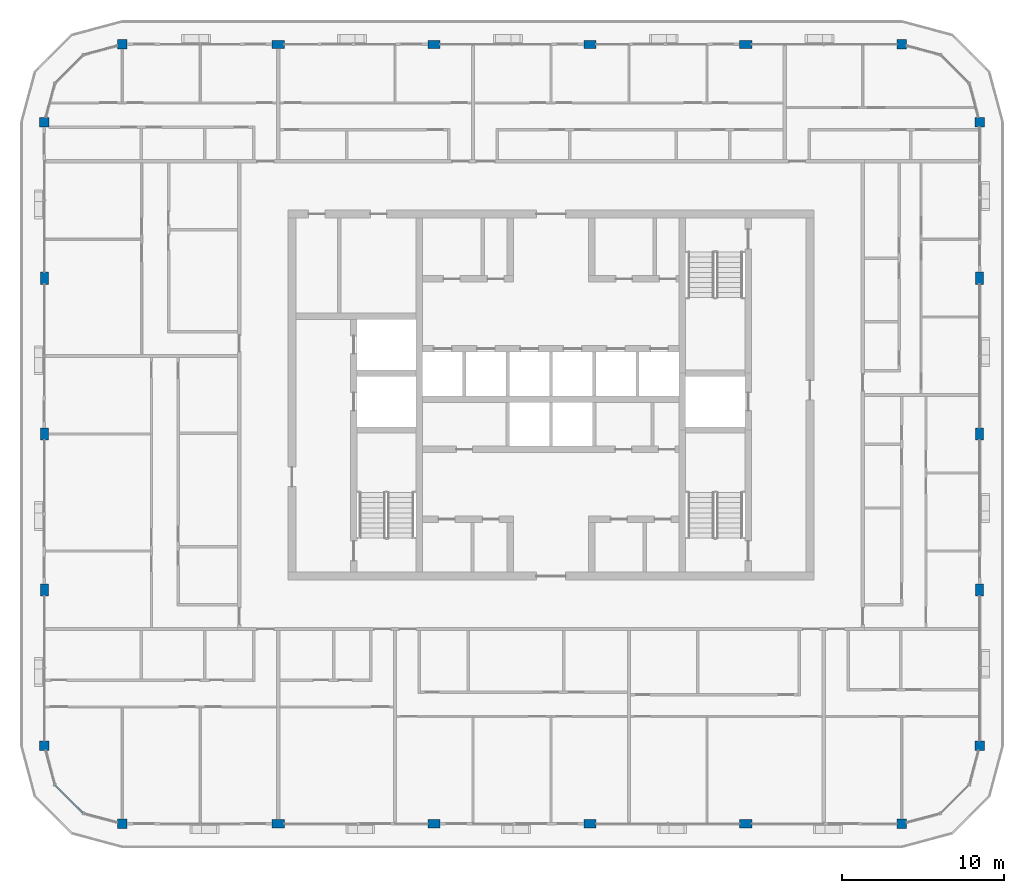
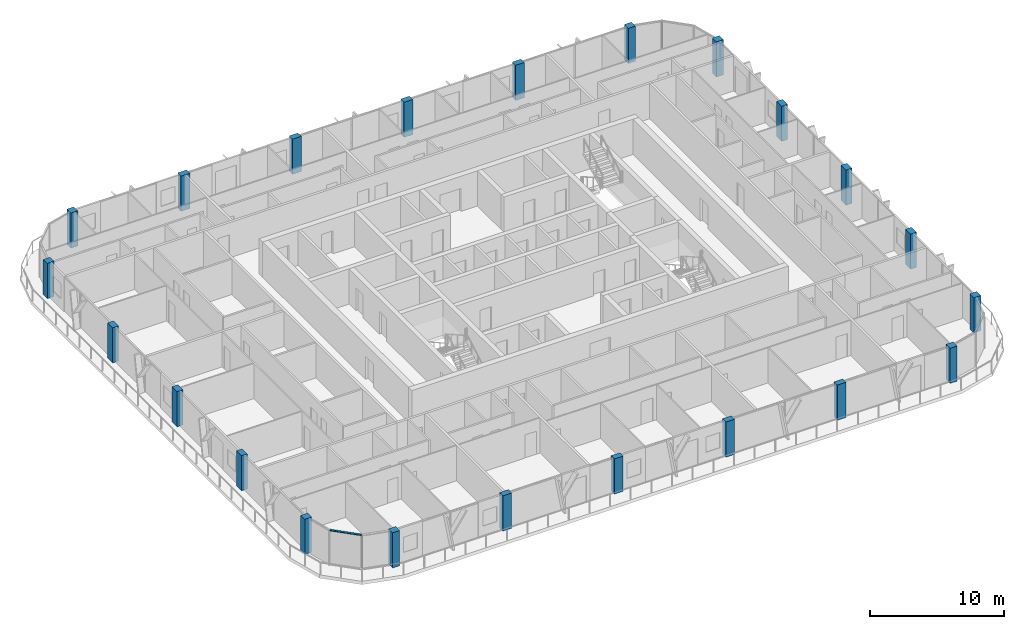
# One storey, part 1 of 22: 22 columns, 1 member, 1 element without a shape of its own.
"""IFC4 building model written with IfcOpenShell, lengths in metres."""

from ifc_helpers import new_model, si_unit, direction, frame, origin, origin_2d, place, context, subcontext, project, spatial, rectangle, extrude, material, layer, layer_set, material_profile, profile_set, type_object, element, aggregate, save


model = new_model("IFC4")

# Units and contexts
model_context = context("Model", 3, precision=1e-05, world=origin(), true_north=direction((0.0, 1.0)))
body_context = subcontext(model_context, "Body", "Model", "MODEL_VIEW")
ifc_project = project(units=[si_unit("LENGTHUNIT", "METRE"), si_unit("AREAUNIT", "SQUARE_METRE"), si_unit("VOLUMEUNIT", "CUBIC_METRE"), si_unit("PLANEANGLEUNIT", "RADIAN"), si_unit("MASSUNIT", "GRAM", prefix="KILO")], contexts=[model_context])

# Site, building, storey
site_placement = place(None, origin())
site = spatial("IfcSite", under=ifc_project, at=site_placement, CompositionType="ELEMENT")
building_placement = place(site_placement, origin())
building = spatial("IfcBuilding", under=site, at=building_placement, Name="Madar Terraces", CompositionType="ELEMENT")
storey_placement = place(building_placement, frame((0.0, 0.0, 282.60009765625)))
storey = spatial("IfcBuildingStorey", under=building, at=storey_placement, Name="L74", CompositionType="ELEMENT", Elevation=282.60009765625)

# Columns
ifc_material_1 = material(Name="Concrete C50/60", Category="concrete")
ifc_material_profile_1 = material_profile(ifc_material_1, rectangle(XDim=0.75, YDim=0.5, at=origin_2d()), Name="CC6 RC 750x500")
ifc_profile_set_1 = profile_set([ifc_material_profile_1], Name="Concrete C50/60")
column_type_1 = type_object("IfcColumnType", Name="CC6 RC 750x500", PredefinedType="COLUMN", material=ifc_profile_set_1)
for number, where, z_axis, x_axis, name in (
    (1, (14.39990234375, 0.0, 0.0), (0.0, 0.0, 1.0), (1.0, 0.0, 0.0), "Perimeter column S2"),
    (2, (24.0, 0.0, 0.0), (0.0, 0.0, 1.0), (1.0, 0.0, 0.0), "Perimeter column S3"),
    (3, (33.60009765625, 0.0, 0.0), (0.0, 0.0, 1.0), (1.0, 0.0, 0.0), "Perimeter column S4"),
    (4, (43.199951171875, 0.0, 0.0), (0.0, 0.0, 1.0), (1.0, 0.0, 0.0), "Perimeter column S5"),
    (5, (57.60009765625, 14.39990234375, 0.0), (0.0, 0.0, 1.0), (0.0, 1.0, 0.0), "Perimeter column E2"),
    (6, (57.60009765625, 24.0, 0.0), (0.0, 0.0, 1.0), (0.0, 1.0, 0.0), "Perimeter column E3"),
    (7, (57.60009765625, 33.60009765625, 0.0), (0.0, 0.0, 1.0), (0.0, 1.0, 0.0), "Perimeter column E4"),
    (8, (43.199951171875, 48.0, 0.0), (0.0, 0.0, 1.0), (1.0, 0.0, 0.0), "Perimeter column N2"),
    (9, (33.60009765625, 48.0, 0.0), (0.0, 0.0, 1.0), (1.0, 0.0, 0.0), "Perimeter column N3"),
    (10, (24.0, 48.0, 0.0), (0.0, 0.0, 1.0), (1.0, 0.0, 0.0), "Perimeter column N4"),
    (11, (14.39990234375, 48.0, 0.0), (0.0, 0.0, 1.0), (1.0, 0.0, 0.0), "Perimeter column N5"),
    (12, (0.0, 33.60009765625, 0.0), (0.0, 0.0, 1.0), (0.0, 1.0, 0.0), "Perimeter column W2"),
    (13, (0.0, 24.0, 0.0), (0.0, 0.0, 1.0), (0.0, 1.0, 0.0), "Perimeter column W3"),
    (14, (0.0, 14.39990234375, 0.0), (0.0, 0.0, 1.0), (0.0, 1.0, 0.0), "Perimeter column W4"),
):
    element("IfcColumn", number, at=place(storey_placement, frame(where, z_axis=z_axis, x_axis=x_axis)), inside=storey, type_object=column_type_1, Name=name, PredefinedType="COLUMN", context=body_context, shape_type="SweptSolid", body=[
        extrude(rectangle(XDim=0.75, YDim=0.5, at=origin_2d()), origin(), (0.0, 0.0, 1.0), 3.199951171875),
    ])
ifc_material_2 = material(Name="Concrete C50/60", Category="concrete")
ifc_material_profile_2 = material_profile(ifc_material_2, rectangle(XDim=0.60009765625, YDim=0.60009765625, at=origin_2d()), Name="KC6 RC 600x600")
ifc_profile_set_2 = profile_set([ifc_material_profile_2], Name="Concrete C50/60")
column_type_2 = type_object("IfcColumnType", Name="KC6 RC 600x600", PredefinedType="COLUMN", material=ifc_profile_set_2)
for number, where, z_axis, x_axis, name in (
    (15, (4.800048828125, 0.0, 0.0), (0.0, 0.0, 1.0), (1.0, 0.0, 0.0), "Perimeter column S1"),
    (16, (52.800048828125, 0.0, 0.0), (0.0, 0.0, 1.0), (1.0, 0.0, 0.0), "Perimeter column S6"),
    (17, (57.60009765625, 4.800048828125, 0.0), (0.0, 0.0, 1.0), (1.0, 0.0, 0.0), "Perimeter column E1"),
    (18, (57.60009765625, 43.199951171875, 0.0), (0.0, 0.0, 1.0), (1.0, 0.0, 0.0), "Perimeter column E5"),
    (19, (52.800048828125, 48.0, 0.0), (0.0, 0.0, 1.0), (1.0, 0.0, 0.0), "Perimeter column N1"),
    (20, (4.800048828125, 48.0, 0.0), (0.0, 0.0, 1.0), (1.0, 0.0, 0.0), "Perimeter column N6"),
    (21, (0.0, 43.199951171875, 0.0), (0.0, 0.0, 1.0), (1.0, 0.0, 0.0), "Perimeter column W1"),
    (22, (0.0, 4.800048828125, 0.0), (0.0, 0.0, 1.0), (1.0, 0.0, 0.0), "Perimeter column W5"),
):
    element("IfcColumn", number, at=place(storey_placement, frame(where, z_axis=z_axis, x_axis=x_axis)), inside=storey, type_object=column_type_2, Name=name, PredefinedType="COLUMN", context=body_context, shape_type="SweptSolid", body=[
        extrude(rectangle(XDim=0.60009765625, YDim=0.60009765625, at=origin_2d()), origin(), (0.0, 0.0, 1.0), 3.199951171875),
    ])

# Curtain wall, member
ifc_material_3 = material(Name="Glass, ceramic frit dark grey, with black aluminium frame", Category="aluminium")
ifc_layer = layer(ifc_material_3, 0.199951171875)
ifc_layer_set = layer_set([ifc_layer], Name="Facade curtain wall, fritted glass")
curtain_wall_type = type_object("IfcCurtainWallType", Name="Facade curtain wall, fritted glass", PredefinedType="NOTDEFINED", material=ifc_layer_set)
curtain_wall_placement = place(storey_placement, origin())
curtain_wall = element("IfcCurtainWall", 23, at=curtain_wall_placement, inside=storey, type_object=curtain_wall_type, Name="Outer skin curtain wall south-west corner", PredefinedType="NOTDEFINED")
ifc_material_4 = material(Name="Aluminium, black anodised", Category="aluminium")
ifc_material_profile_3 = material_profile(ifc_material_4, rectangle(XDim=0.1201171875, YDim=0.06005859375, at=origin_2d()), Name="Facade transom 60x120")
ifc_profile_set_3 = profile_set([ifc_material_profile_3], Name="Aluminium, black anodised")
member_type = type_object("IfcMemberType", Name="Facade transom 60x120", PredefinedType="USERDEFINED", material=ifc_profile_set_3)
member_placement = place(storey_placement, frame((0.664306640625, 2.37890625, 3.169921875), z_axis=(0.707106781187, -0.707106781187, 0.0), x_axis=(0.707106781187, 0.707106781187, 0.0)))
member = element("IfcMember", 24, at=member_placement, type_object=member_type, Name="Transom 2", ObjectType="TRANSOM", PredefinedType="USERDEFINED", context=body_context, shape_type="SweptSolid", body=[
    extrude(rectangle(XDim=0.1201171875, YDim=0.06005859375, at=origin_2d()), origin(), (0.0, 0.0, 1.0), 2.4248046875),
])
aggregate(curtain_wall, [member])

save(model, "model.ifc")
